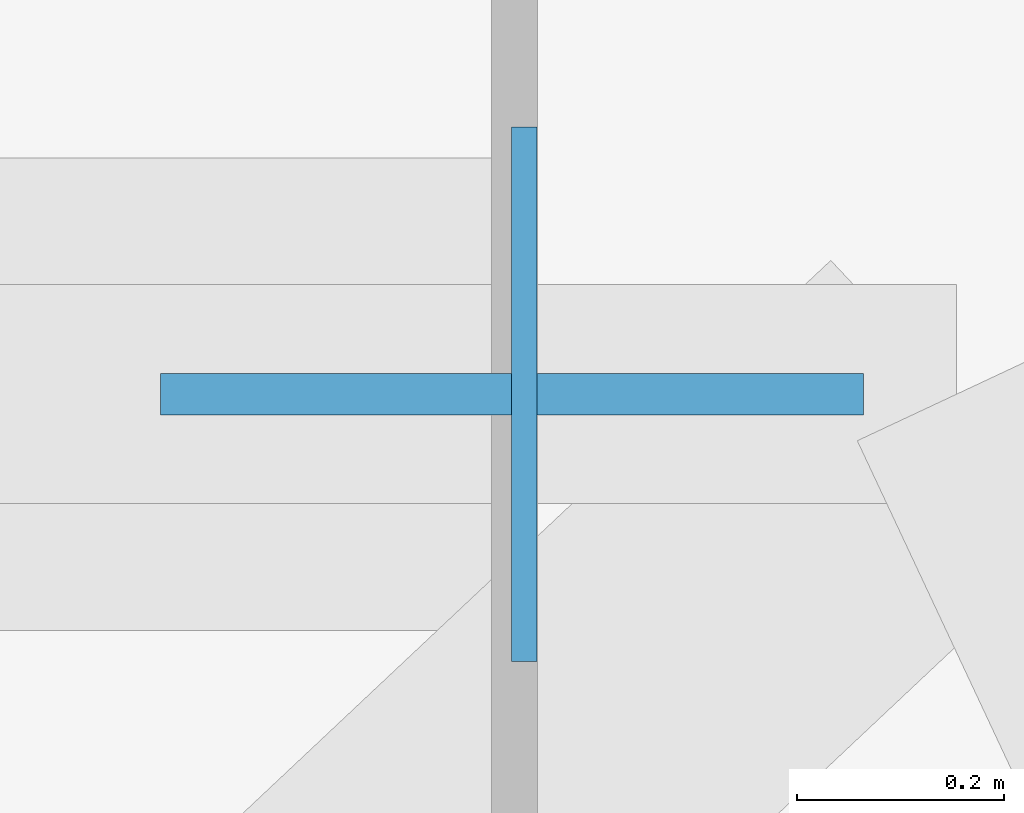
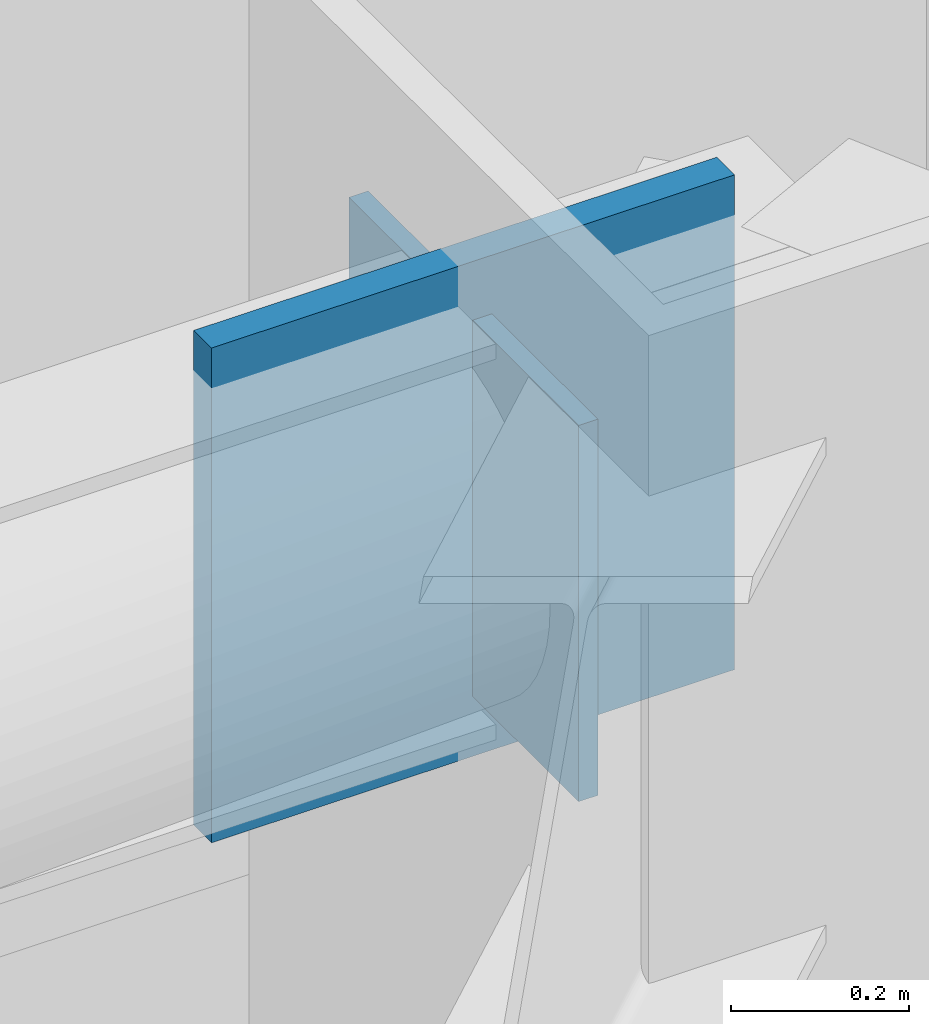
# One storey, part 13 of 21: 2 plates.
"""IFC4 building model written with IfcOpenShell, lengths in metres."""

from ifc_helpers import new_model, si_unit, direction, frame, origin, origin_2d, place, context, subcontext, project, spatial, rectangle, extrude, material, layer, layer_set, type_object, element, save


model = new_model("IFC4")

# Units and contexts
model_context = context("Model", 3, precision=1e-05, world=origin(), true_north=direction((0.0, 1.0)))
body_context = subcontext(model_context, "Body", "Model", "MODEL_VIEW")
ifc_project = project(units=[si_unit("LENGTHUNIT", "METRE"), si_unit("AREAUNIT", "SQUARE_METRE"), si_unit("VOLUMEUNIT", "CUBIC_METRE"), si_unit("PLANEANGLEUNIT", "RADIAN"), si_unit("MASSUNIT", "GRAM", prefix="KILO")], contexts=[model_context])

# Site, building, storey
site_placement = place(None, origin())
site = spatial("IfcSite", under=ifc_project, at=site_placement, CompositionType="ELEMENT")
building_placement = place(site_placement, origin())
building = spatial("IfcBuilding", under=site, at=building_placement, Name="Khamvora Tower", CompositionType="ELEMENT")
storey_placement = place(building_placement, frame((0.0, 0.0, 159.550048828125)))
storey = spatial("IfcBuildingStorey", under=building, at=storey_placement, Name="L40", CompositionType="ELEMENT", Elevation=159.550048828125)

# Plates
ifc_material_1 = material(Name="Steel S355", Category="steel")
ifc_layer_1 = layer(ifc_material_1, 0.02490234375)
ifc_layer_set_1 = layer_set([ifc_layer_1], Name="Steel S355")
plate_type_1 = type_object("IfcPlateType", Name="PL-CAP-25", PredefinedType="SHEET", material=ifc_layer_set_1)
plate_1_placement = place(storey_placement, frame((56.33203125, 44.5, 2.886474609375), z_axis=(0.0, 0.0, 1.0), x_axis=(1.0, 0.0, 0.0)))
element("IfcPlate", 1, at=plate_1_placement, inside=storey, type_object=plate_type_1, Name="L40 hollow section steel end cap plate 0943", PredefinedType="SHEET", context=body_context, shape_type="SweptSolid", body=[
    extrude(rectangle(XDim=0.02490234375, YDim=0.51708984375, at=origin_2d()), origin(), (0.0, 0.0, 1.0), 0.51708984375),
])
ifc_material_2 = material(Name="Steel S460", Category="steel")
ifc_layer_2 = layer(ifc_material_2, 0.0400390625)
ifc_layer_set_2 = layer_set([ifc_layer_2], Name="Steel S460")
plate_type_2 = type_object("IfcPlateType", Name="PLT-GUS-40", PredefinedType="SHEET", material=ifc_layer_set_2)
plate_2_placement = place(storey_placement, frame((56.320068359375, 44.5, 2.80419921875), z_axis=(0.0, 0.0, 1.0), x_axis=(1.0, 0.0, 0.0)))
element("IfcPlate", 2, at=plate_2_placement, inside=storey, type_object=plate_type_2, Name="L40 brace connection node gusset plate 0280", PredefinedType="SHEET", context=body_context, shape_type="SweptSolid", body=[
    extrude(rectangle(XDim=0.679931640625, YDim=0.0400390625, at=origin_2d()), origin(), (0.0, 0.0, 1.0), 0.679931640625),
])

save(model, "model.ifc")
